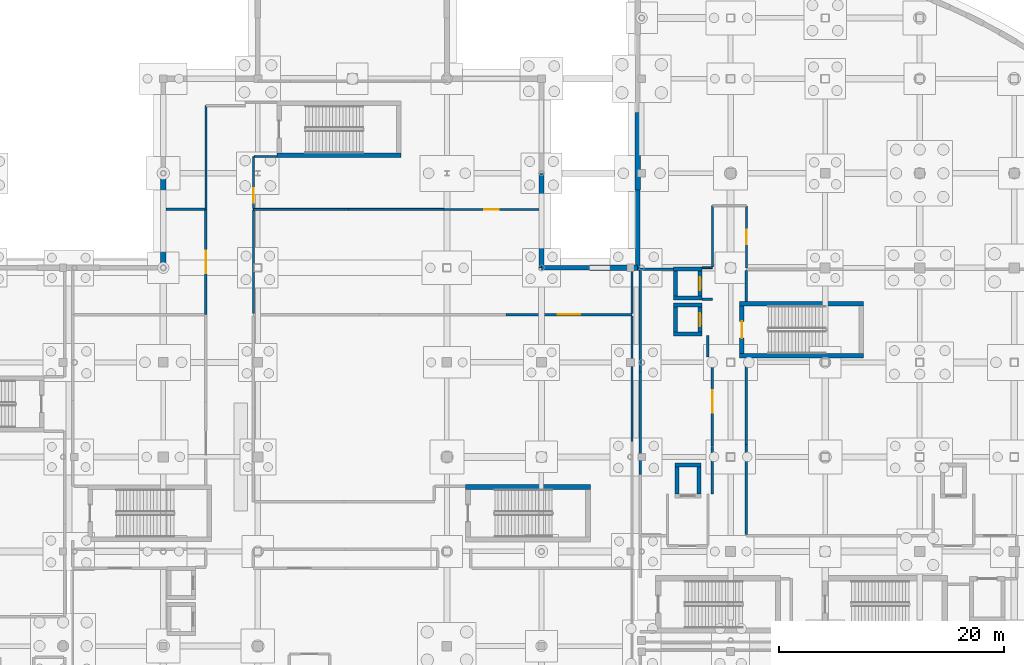
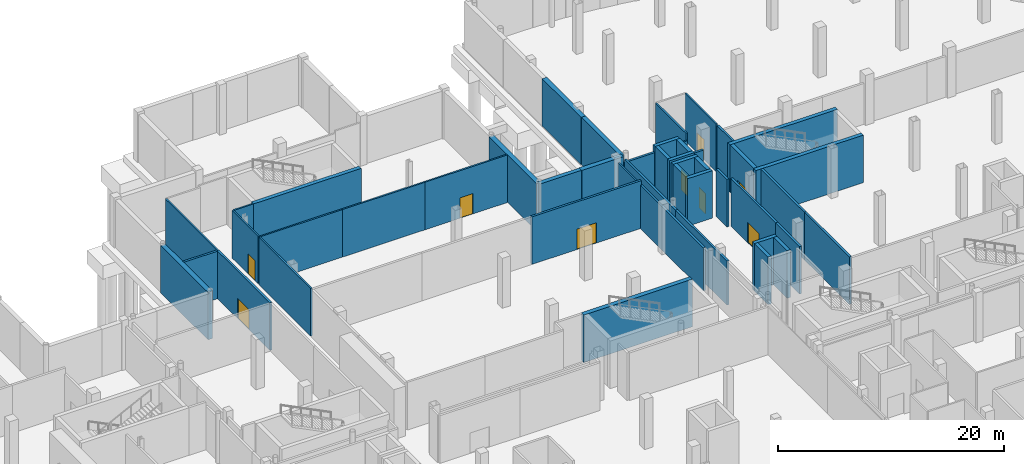
# One storey, part 32 of 49: 47 walls, 9 doors, 9 openings.
"""IFC4 building model written with IfcOpenShell, lengths in metres."""

from ifc_helpers import new_model, si_unit, direction, frame, frame_2d, origin, place, context, subcontext, project, spatial, rectangle, extrude, material, layer, layer_set, type_object, element, fill, save


model = new_model("IFC4")

# Units and contexts
model_context = context("Model", 3, precision=1e-05, world=origin(), true_north=direction((0.0, 1.0)))
body_context = subcontext(model_context, "Body", "Model", "MODEL_VIEW")
ifc_project = project(units=[si_unit("LENGTHUNIT", "METRE"), si_unit("AREAUNIT", "SQUARE_METRE"), si_unit("VOLUMEUNIT", "CUBIC_METRE"), si_unit("PLANEANGLEUNIT", "RADIAN"), si_unit("MASSUNIT", "GRAM", prefix="KILO"), si_unit("THERMODYNAMICTEMPERATUREUNIT", "KELVIN")], contexts=[model_context])

# Site, building, storey
site_placement = place(None, origin())
site = spatial("IfcSite", under=ifc_project, at=site_placement, CompositionType="ELEMENT")
building_placement = place(site_placement, origin())
building = spatial("IfcBuilding", under=site, at=building_placement, Name="Lustrewick Department Store", CompositionType="ELEMENT")
storey_placement = place(building_placement, frame((0.0, 0.0, -5.39990234375)))
storey = spatial("IfcBuildingStorey", under=building, at=storey_placement, Name="B1", CompositionType="ELEMENT", Elevation=-5.39990234375)

# Wall, opening, door
ifc_material_1 = material(Name="Autoclaved aerated concrete blockwork and fire board", Category="masonry")
ifc_layer_1 = layer(ifc_material_1, 0.219970703125, Name="Autoclaved aerated concrete blockwork and fire board")
ifc_layer_set_1 = layer_set([ifc_layer_1], Name="Autoclaved aerated concrete blockwork and fire board")
wall_type_1 = type_object("IfcWallType", Name="PW01", PredefinedType="PARTITIONING", material=ifc_layer_set_1)
wall_1_placement = place(storey_placement, frame((70.989990234375, 79.846435546875, 0.0), z_axis=(0.0, 0.0, 1.0), x_axis=(0.0, 1.0, 0.0)))
wall_1 = element("IfcWall", 1, at=wall_1_placement, inside=storey, type_object=wall_type_1, Name="B1 V2 Reserve Stockroom 4 PW01", PredefinedType="PARTITIONING", context=body_context, shape_type="SweptSolid", body=[
    extrude(rectangle(XDim=9.343505859375, YDim=0.219970703125, at=frame_2d((4.671875, 0.0))), origin(), (0.0, 0.0, 1.0), 5.14501953125),
])
opening_1_placement = place(wall_1_placement, frame((3.671875, 0.0, 0.0)))
opening_1 = element("IfcOpeningElement", 2, at=opening_1_placement, cuts=wall_1, Name="Opening D-B1-056", PredefinedType="OPENING", context=body_context, shape_type="SweptSolid", body=[
    extrude(rectangle(XDim=2.0, YDim=2.199951171875, at=frame_2d((1.0, 1.10009765625))), frame((0.0, 0.1201171875, 0.0), z_axis=(0.0, -1.0, 0.0), x_axis=(1.0, 0.0, 0.0)), (0.0, 0.0, 1.0), 0.239990234375),
])
ifc_material_2 = material(Name="Steel fire door Class A EI 90", Category="steel")
door_type_1 = type_object("IfcDoorType", Name="DT-06", OperationType="NOTDEFINED", PredefinedType="DOOR", material=ifc_material_2)
door_1_placement = place(opening_1_placement, origin())
door_1 = element("IfcDoor", 3, at=door_1_placement, inside=storey, type_object=door_type_1, Name="B1 V2 Reserve Stockroom 4 Door D-B1-056", OperationType="DOUBLE_DOOR_SINGLE_SWING", OverallHeight=2.199951171875, OverallWidth=2.0, PredefinedType="DOOR", context=body_context, shape_type="SweptSolid", body=[
    extrude(rectangle(XDim=2.0, YDim=2.199951171875, at=frame_2d((1.0, 1.10009765625))), frame((0.0, 0.02490234375, 0.0), z_axis=(0.0, -1.0, 0.0), x_axis=(1.0, 0.0, 0.0)), (0.0, 0.0, 1.0), 0.050048828125),
])
fill(opening_1, door_1)

# Wall
wall_2_placement = place(storey_placement, frame((70.885009765625, 89.18994140625, 0.0), z_axis=(0.0, 0.0, 1.0), x_axis=(-1.0, 0.0, 0.0)))
element("IfcWall", 4, at=wall_2_placement, inside=storey, type_object=wall_type_1, Name="B1 V2 Reserve Stockroom 4 PW01", PredefinedType="PARTITIONING", context=body_context, shape_type="SweptSolid", body=[
    extrude(rectangle(XDim=3.449951171875, YDim=0.219970703125, at=frame_2d((1.72509765625, 0.0))), origin(), (0.0, 0.0, 1.0), 5.14501953125),
])

# Wall, opening, door
wall_3_placement = place(storey_placement, frame((108.840087890625, 79.846435546875, 0.0), z_axis=(0.0, 0.0, 1.0), x_axis=(-1.0, 0.0, 0.0)))
wall_3 = element("IfcWall", 5, at=wall_3_placement, inside=storey, type_object=wall_type_1, Name="B1 Forward Merchandise Stockroom PW01", PredefinedType="PARTITIONING", context=body_context, shape_type="SweptSolid", body=[
    extrude(rectangle(XDim=11.210205078125, YDim=0.219970703125, at=frame_2d((5.60498046875, 0.0))), origin(), (0.0, 0.0, 1.0), 5.14501953125),
])
opening_2_placement = place(wall_3_placement, frame((4.60498046875, 0.0, 0.0)))
opening_2 = element("IfcOpeningElement", 6, at=opening_2_placement, cuts=wall_3, Name="Opening D-B1-057", PredefinedType="OPENING", context=body_context, shape_type="SweptSolid", body=[
    extrude(rectangle(XDim=2.0, YDim=2.199951171875, at=frame_2d((1.0, 1.10009765625))), frame((0.0, 0.1201171875, 0.0), z_axis=(0.0, -1.0, 0.0), x_axis=(1.0, 0.0, 0.0)), (0.0, 0.0, 1.0), 0.239990234375),
])
door_2_placement = place(opening_2_placement, origin())
door_2 = element("IfcDoor", 7, at=door_2_placement, inside=storey, type_object=door_type_1, Name="B1 Forward Merchandise Stockroom Door D-B1-057", OperationType="DOUBLE_DOOR_SINGLE_SWING", OverallHeight=2.199951171875, OverallWidth=2.0, PredefinedType="DOOR", context=body_context, shape_type="SweptSolid", body=[
    extrude(rectangle(XDim=2.0, YDim=2.199951171875, at=frame_2d((1.0, 1.10009765625))), frame((0.0, 0.02490234375, 0.0), z_axis=(0.0, -1.0, 0.0), x_axis=(1.0, 0.0, 0.0)), (0.0, 0.0, 1.0), 0.050048828125),
])
fill(opening_2, door_2)

# Walls
wall_4_placement = place(storey_placement, frame((108.840087890625, 68.580078125, 0.0), z_axis=(0.0, 0.0, 1.0), x_axis=(0.0, 1.0, 0.0)))
element("IfcWall", 8, at=wall_4_placement, inside=storey, type_object=wall_type_1, Name="B1 Forward Merchandise Stockroom PW01", PredefinedType="PARTITIONING", context=body_context, shape_type="SweptSolid", body=[
    extrude(rectangle(XDim=11.161376953125, YDim=0.219970703125, at=frame_2d((5.58056640625, 0.0))), origin(), (0.0, 0.0, 1.0), 4.681884765625),
])
wall_5_placement = place(storey_placement, frame((115.989990234375, 63.89990234375, 0.0), z_axis=(0.0, 0.0, 1.0), x_axis=(0.0, 1.0, 0.0)))
element("IfcWall", 9, at=wall_5_placement, inside=storey, type_object=wall_type_1, Name="B1 V4 Reserve Stockroom 1 PW01", PredefinedType="PARTITIONING", context=body_context, shape_type="SweptSolid", body=[
    extrude(rectangle(XDim=4.25, YDim=0.219970703125, at=frame_2d((2.125, 0.0))), origin(), (0.0, 0.0, 1.0), 5.14501953125),
])

# Wall, opening, door
wall_6_placement = place(storey_placement, frame((115.989990234375, 68.14990234375, 0.0), z_axis=(0.0, 0.0, 1.0), x_axis=(0.0, 1.0, 0.0)))
wall_6 = element("IfcWall", 10, at=wall_6_placement, inside=storey, type_object=wall_type_1, Name="B1 V4 Reserve Stockroom 1 PW01", PredefinedType="PARTITIONING", context=body_context, shape_type="SweptSolid", body=[
    extrude(rectangle(XDim=7.940185546875, YDim=0.219970703125, at=frame_2d((3.97021484375, 0.0))), origin(), (0.0, 0.0, 1.0), 5.14501953125),
])
opening_3_placement = place(wall_6_placement, frame((2.969970703125, 0.0, 0.0)))
opening_3 = element("IfcOpeningElement", 11, at=opening_3_placement, cuts=wall_6, Name="Opening D-B1-067", PredefinedType="OPENING", context=body_context, shape_type="SweptSolid", body=[
    extrude(rectangle(XDim=2.0, YDim=2.199951171875, at=frame_2d((1.0, 1.10009765625))), frame((0.0, 0.1201171875, 0.0), z_axis=(0.0, -1.0, 0.0), x_axis=(1.0, 0.0, 0.0)), (0.0, 0.0, 1.0), 0.239990234375),
])
door_3_placement = place(opening_3_placement, origin())
door_3 = element("IfcDoor", 12, at=door_3_placement, inside=storey, type_object=door_type_1, Name="B1 V4 Reserve Stockroom 1 Door D-B1-067", OperationType="DOUBLE_DOOR_SINGLE_SWING", OverallHeight=2.199951171875, OverallWidth=2.0, PredefinedType="DOOR", context=body_context, shape_type="SweptSolid", body=[
    extrude(rectangle(XDim=2.0, YDim=2.199951171875, at=frame_2d((1.0, 1.10009765625))), frame((0.0, 0.02490234375, 0.0), z_axis=(0.0, -1.0, 0.0), x_axis=(1.0, 0.0, 0.0)), (0.0, 0.0, 1.0), 0.050048828125),
])
fill(opening_3, door_3)

# Walls
wall_7_placement = place(storey_placement, frame((112.5400390625, 83.88818359375, 0.0), z_axis=(0.0, 0.0, 1.0), x_axis=(-1.0, 0.0, 0.0)))
element("IfcWall", 13, at=wall_7_placement, inside=storey, type_object=wall_type_1, Name="B1 V4 Reserve Stockroom 1 PW01", PredefinedType="PARTITIONING", context=body_context, shape_type="SweptSolid", body=[
    extrude(rectangle(XDim=3.18994140625, YDim=0.219970703125, at=frame_2d((1.594970703125, 0.0))), origin(), (0.0, 0.0, 1.0), 4.421875),
])
wall_8_placement = place(storey_placement, frame((115.590087890625, 76.10009765625, 0.0), z_axis=(0.0, 0.0, 1.0), x_axis=(0.0, 1.0, 0.0)))
element("IfcWall", 14, at=wall_8_placement, inside=storey, type_object=wall_type_1, Name="B1 V4 Reserve Stockroom 1 PW01", PredefinedType="PARTITIONING", context=body_context, shape_type="SweptSolid", body=[
    extrude(rectangle(XDim=1.889892578125, YDim=0.219970703125, at=frame_2d((0.94482421875, 0.0))), origin(), (0.0, 0.0, 1.0), 5.14501953125),
])
wall_9_placement = place(storey_placement, frame((109.56005859375, 83.783203125, 0.0), z_axis=(0.0, 0.0, 1.0), x_axis=(0.0, -1.0, 0.0)))
element("IfcWall", 15, at=wall_9_placement, inside=storey, type_object=wall_type_1, Name="B1 V4 Reserve Stockroom 1 PW01", PredefinedType="PARTITIONING", context=body_context, shape_type="SweptSolid", body=[
    extrude(rectangle(XDim=9.02099609375, YDim=0.219970703125, at=frame_2d((4.510498046875, 0.0))), origin(), (0.0, 0.0, 1.0), 4.77197265625),
])
wall_10_placement = place(storey_placement, frame((109.56005859375, 74.76220703125, 0.0), z_axis=(0.0, 0.0, 1.0), x_axis=(0.0, -1.0, 0.0)))
element("IfcWall", 16, at=wall_10_placement, inside=storey, type_object=wall_type_1, Name="B1 V4 Reserve Stockroom 1 PW01", PredefinedType="PARTITIONING", context=body_context, shape_type="SweptSolid", body=[
    extrude(rectangle(XDim=9.126220703125, YDim=0.219970703125, at=frame_2d((4.56298828125, 0.0))), origin(), (0.0, 0.0, 1.0), 4.77197265625),
])
wall_11_placement = place(storey_placement, frame((115.989990234375, 81.18994140625, 0.0), z_axis=(0.0, 0.0, 1.0), x_axis=(-1.0, 0.0, 0.0)))
element("IfcWall", 17, at=wall_11_placement, inside=storey, type_object=wall_type_1, Name="B1 V4 Reserve Stockroom 1 PW01", PredefinedType="PARTITIONING", context=body_context, shape_type="SweptSolid", body=[
    extrude(rectangle(XDim=0.929931640625, YDim=0.219970703125, at=frame_2d((0.46484375, 0.0))), origin(), (0.0, 0.0, 1.0), 5.14501953125),
])
wall_12_placement = place(storey_placement, frame((119.010009765625, 76.0048828125, 0.0), z_axis=(0.0, 0.0, 1.0), x_axis=(0.0, -1.0, 0.0)))
element("IfcWall", 18, at=wall_12_placement, inside=storey, type_object=wall_type_1, Name="B1 Central Merchandise Stockroom PW01", PredefinedType="PARTITIONING", context=body_context, shape_type="SweptSolid", body=[
    extrude(rectangle(XDim=7.704833984375, YDim=0.219970703125, at=frame_2d((3.8525390625, 0.0))), origin(), (0.0, 0.0, 1.0), 5.14501953125),
])
wall_13_placement = place(storey_placement, frame((119.010009765625, 68.300048828125, 0.0), z_axis=(0.0, 0.0, 1.0), x_axis=(0.0, -1.0, 0.0)))
element("IfcWall", 19, at=wall_13_placement, inside=storey, type_object=wall_type_1, Name="B1 Central Merchandise Stockroom PW01", PredefinedType="PARTITIONING", context=body_context, shape_type="SweptSolid", body=[
    extrude(rectangle(XDim=7.985107421875, YDim=0.219970703125, at=frame_2d((3.99267578125, 0.0))), origin(), (0.0, 0.0, 1.0), 5.14501953125),
])
wall_14_placement = place(storey_placement, frame((119.010009765625, 83.783203125, 0.0), z_axis=(0.0, 0.0, 1.0), x_axis=(0.0, -1.0, 0.0)))
element("IfcWall", 20, at=wall_14_placement, inside=storey, type_object=wall_type_1, Name="B1 Central Merchandise Stockroom PW01", PredefinedType="PARTITIONING", context=body_context, shape_type="SweptSolid", body=[
    extrude(rectangle(XDim=2.7880859375, YDim=0.219970703125, at=frame_2d((1.39404296875, 0.0))), origin(), (0.0, 0.0, 1.0), 5.14501953125),
])

# Wall, opening, door
ifc_material_3 = material(Name="Double-stud gypsum fire board with mineral wool", Category="gypsum")
ifc_layer_2 = layer(ifc_material_3, 0.1650390625, Name="Double-stud gypsum fire board with mineral wool")
ifc_layer_set_2 = layer_set([ifc_layer_2], Name="Double-stud gypsum fire board with mineral wool")
wall_type_2 = type_object("IfcWallType", Name="PW04", PredefinedType="PARTITIONING", material=ifc_layer_set_2)
wall_15_placement = place(storey_placement, frame((100.56494140625, 89.18994140625, 0.0), z_axis=(0.0, 0.0, 1.0), x_axis=(-1.0, 0.0, 0.0)))
wall_15 = element("IfcWall", 21, at=wall_15_placement, inside=storey, type_object=wall_type_2, Name="B1 Electrical Substation Room PW04", PredefinedType="PARTITIONING", context=body_context, shape_type="SweptSolid", body=[
    extrude(rectangle(XDim=8.43505859375, YDim=0.1650390625, at=frame_2d((4.217529296875, 0.0))), origin(), (0.0, 0.0, 1.0), 5.14501953125),
])
opening_4_placement = place(wall_15_placement, frame((3.5673828125, 0.0, 0.0)))
opening_4 = element("IfcOpeningElement", 22, at=opening_4_placement, cuts=wall_15, Name="Opening D-B1-058", PredefinedType="OPENING", context=body_context, shape_type="SweptSolid", body=[
    extrude(rectangle(XDim=1.300048828125, YDim=2.199951171875, at=frame_2d((0.64990234375, 1.10009765625))), frame((0.0, 0.092529296875, 0.0), z_axis=(0.0, -1.0, 0.0), x_axis=(1.0, 0.0, 0.0)), (0.0, 0.0, 1.0), 0.18505859375),
])
door_type_2 = type_object("IfcDoorType", Name="DT-13", OperationType="NOTDEFINED", PredefinedType="DOOR", material=ifc_material_2)
door_4_placement = place(opening_4_placement, origin())
door_4 = element("IfcDoor", 23, at=door_4_placement, inside=storey, type_object=door_type_2, Name="B1 Electrical Substation Room Door D-B1-058", OperationType="SINGLE_SWING_LEFT", OverallHeight=2.199951171875, OverallWidth=1.300048828125, PredefinedType="DOOR", context=body_context, shape_type="SweptSolid", body=[
    extrude(rectangle(XDim=1.300048828125, YDim=2.199951171875, at=frame_2d((0.64990234375, 1.10009765625))), frame((0.0, 0.02490234375, 0.0), z_axis=(0.0, -1.0, 0.0), x_axis=(1.0, 0.0, 0.0)), (0.0, 0.0, 1.0), 0.050048828125),
])
fill(opening_4, door_4)

# Walls
for number, where, z_axis, x_axis, name in (
    (24, (92.1298828125, 89.18994140625, 0.0), (0.0, 0.0, 1.0), (-1.0, 0.0, 0.0), "B1 Electrical Substation Room PW04"),
    (25, (83.669921875, 89.18994140625, 0.0), (0.0, 0.0, 1.0), (-1.0, 0.0, 0.0), "B1 Electrical Substation Room PW04"),
):
    element("IfcWall", number, at=place(storey_placement, frame(where, z_axis=z_axis, x_axis=x_axis)), inside=storey, type_object=wall_type_2, Name=name, PredefinedType="PARTITIONING", context=body_context, shape_type="SweptSolid", body=[
        extrude(rectangle(XDim=8.4599609375, YDim=0.1650390625, at=frame_2d((4.22998046875, 0.0))), origin(), (0.0, 0.0, 1.0), 5.14501953125),
    ])
wall_16_placement = place(storey_placement, frame((75.2099609375, 89.112548828125, 0.0), z_axis=(0.0, 0.0, 1.0), x_axis=(0.0, -1.0, 0.0)))
element("IfcWall", 26, at=wall_16_placement, inside=storey, type_object=wall_type_2, Name="B1 Electrical Substation Room PW04", PredefinedType="PARTITIONING", context=body_context, shape_type="SweptSolid", body=[
    extrude(rectangle(XDim=9.1611328125, YDim=0.1650390625, at=frame_2d((4.58056640625, 0.0))), origin(), (0.0, 0.0, 1.0), 5.14501953125),
])
wall_17_placement = place(storey_placement, frame((108.840087890625, 79.951416015625, 0.0), z_axis=(0.0, 0.0, 1.0), x_axis=(0.0, 1.0, 0.0)))
element("IfcWall", 27, at=wall_17_placement, inside=storey, type_object=wall_type_2, Name="B1 Electrical Substation Room PW04", PredefinedType="PARTITIONING", context=body_context, shape_type="SweptSolid", body=[
    extrude(rectangle(XDim=3.8134765625, YDim=0.1650390625, at=frame_2d((1.90673828125, 0.0))), origin(), (0.0, 0.0, 1.0), 4.681884765625),
])

# Wall, opening, door
wall_18_placement = place(storey_placement, frame((75.2099609375, 93.889892578125, 0.0), z_axis=(0.0, 0.0, 1.0), x_axis=(0.0, -1.0, 0.0)))
wall_18 = element("IfcWall", 28, at=wall_18_placement, inside=storey, type_object=wall_type_2, Name="B1 Standby Diesel Power Room PW04", PredefinedType="PARTITIONING", context=body_context, shape_type="SweptSolid", body=[
    extrude(rectangle(XDim=4.622314453125, YDim=0.1650390625, at=frame_2d((2.31103515625, 0.0))), origin(), (0.0, 0.0, 1.0), 5.14501953125),
])
opening_5_placement = place(wall_18_placement, frame((2.81689453125, 0.0, 0.0)))
opening_5 = element("IfcOpeningElement", 29, at=opening_5_placement, cuts=wall_18, Name="Opening D-B1-059", PredefinedType="OPENING", context=body_context, shape_type="SweptSolid", body=[
    extrude(rectangle(XDim=1.300048828125, YDim=2.199951171875, at=frame_2d((0.64990234375, 1.10009765625))), frame((0.0, 0.092529296875, 0.0), z_axis=(0.0, -1.0, 0.0), x_axis=(1.0, 0.0, 0.0)), (0.0, 0.0, 1.0), 0.18505859375),
])
door_5_placement = place(opening_5_placement, origin())
door_5 = element("IfcDoor", 30, at=door_5_placement, inside=storey, type_object=door_type_2, Name="B1 Standby Diesel Power Room Door D-B1-059", OperationType="SINGLE_SWING_RIGHT", OverallHeight=2.199951171875, OverallWidth=1.300048828125, PredefinedType="DOOR", context=body_context, shape_type="SweptSolid", body=[
    extrude(rectangle(XDim=1.300048828125, YDim=2.199951171875, at=frame_2d((0.64990234375, 1.10009765625))), frame((0.0, 0.02490234375, 0.0), z_axis=(0.0, -1.0, 0.0), x_axis=(1.0, 0.0, 0.0)), (0.0, 0.0, 1.0), 0.050048828125),
])
fill(opening_5, door_5)

# Walls
wall_19_placement = place(storey_placement, frame((77.300048828125, 93.889892578125, 0.0), z_axis=(0.0, 0.0, 1.0), x_axis=(-1.0, 0.0, 0.0)))
element("IfcWall", 31, at=wall_19_placement, inside=storey, type_object=wall_type_2, Name="B1 Standby Diesel Power Room PW04", PredefinedType="PARTITIONING", context=body_context, shape_type="SweptSolid", body=[
    extrude(rectangle(XDim=2.012451171875, YDim=0.1650390625, at=frame_2d((1.00634765625, 0.0))), origin(), (0.0, 0.0, 1.0), 5.14501953125),
])
wall_20_placement = place(storey_placement, frame((70.989990234375, 89.18994140625, 0.0), z_axis=(0.0, 0.0, 1.0), x_axis=(0.0, 1.0, 0.0)))
element("IfcWall", 32, at=wall_20_placement, inside=storey, type_object=wall_type_2, Name="B1 Standby Diesel Power Room PW04", PredefinedType="PARTITIONING", context=body_context, shape_type="SweptSolid", body=[
    extrude(rectangle(XDim=9.2099609375, YDim=0.1650390625, at=frame_2d((4.60498046875, 0.0))), origin(), (0.0, 0.0, 1.0), 5.14501953125),
])
wall_21_placement = place(storey_placement, frame((115.06005859375, 84.010009765625, 0.0), z_axis=(0.0, 0.0, 1.0), x_axis=(1.0, 0.0, 0.0)))
element("IfcWall", 33, at=wall_21_placement, inside=storey, type_object=wall_type_2, Name="B1 AHU Mechanical Plant PW04", PredefinedType="PARTITIONING", context=body_context, shape_type="SweptSolid", body=[
    extrude(rectangle(XDim=0.929931640625, YDim=0.1650390625, at=frame_2d((0.46484375, 0.0))), origin(), (0.0, 0.0, 1.0), 4.421875),
])

# Wall, opening, door
wall_22_placement = place(storey_placement, frame((119.010009765625, 89.5, 0.0), z_axis=(0.0, 0.0, 1.0), x_axis=(0.0, -1.0, 0.0)))
wall_22 = element("IfcWall", 34, at=wall_22_placement, inside=storey, type_object=wall_type_2, Name="B1 AHU Mechanical Plant PW04", PredefinedType="PARTITIONING", context=body_context, shape_type="SweptSolid", body=[
    extrude(rectangle(XDim=5.5068359375, YDim=0.1650390625, at=frame_2d((2.75341796875, 0.0))), origin(), (0.0, 0.0, 1.0), 5.14501953125),
])
opening_6_placement = place(wall_22_placement, frame((2.103515625, 0.0, 0.0)))
opening_6 = element("IfcOpeningElement", 35, at=opening_6_placement, cuts=wall_22, Name="Opening D-B1-069", PredefinedType="OPENING", context=body_context, shape_type="SweptSolid", body=[
    extrude(rectangle(XDim=1.300048828125, YDim=2.199951171875, at=frame_2d((0.64990234375, 1.10009765625))), frame((0.0, 0.092529296875, 0.0), z_axis=(0.0, -1.0, 0.0), x_axis=(1.0, 0.0, 0.0)), (0.0, 0.0, 1.0), 0.18505859375),
])
door_6_placement = place(opening_6_placement, origin())
door_6 = element("IfcDoor", 36, at=door_6_placement, inside=storey, type_object=door_type_2, Name="B1 AHU Mechanical Plant Door D-B1-069", OperationType="SINGLE_SWING_LEFT", OverallHeight=2.199951171875, OverallWidth=1.300048828125, PredefinedType="DOOR", context=body_context, shape_type="SweptSolid", body=[
    extrude(rectangle(XDim=1.300048828125, YDim=2.199951171875, at=frame_2d((0.64990234375, 1.10009765625))), frame((0.0, 0.02490234375, 0.0), z_axis=(0.0, -1.0, 0.0), x_axis=(1.0, 0.0, 0.0)), (0.0, 0.0, 1.0), 0.050048828125),
])
fill(opening_6, door_6)

# Walls
wall_23_placement = place(storey_placement, frame((115.989990234375, 84.08740234375, 0.0), z_axis=(0.0, 0.0, 1.0), x_axis=(0.0, 1.0, 0.0)))
element("IfcWall", 37, at=wall_23_placement, inside=storey, type_object=wall_type_2, Name="B1 AHU Mechanical Plant PW04", PredefinedType="PARTITIONING", context=body_context, shape_type="SweptSolid", body=[
    extrude(rectangle(XDim=5.41259765625, YDim=0.1650390625, at=frame_2d((2.706298828125, 0.0))), origin(), (0.0, 0.0, 1.0), 5.14501953125),
])
ifc_material_4 = material(Name="Concrete C40", Category="concrete")
ifc_layer_3 = layer(ifc_material_4, 0.419921875, Name="Concrete C40")
ifc_layer_set_3 = layer_set([ifc_layer_3], Name="Concrete C40")
wall_type_3 = type_object("IfcWallType", Name="RW01", PredefinedType="USERDEFINED", material=ifc_layer_set_3)
wall_24_placement = place(storey_placement, frame((100.800048828125, 84.0, 0.0), z_axis=(0.0, 0.0, 1.0), x_axis=(1.0, 0.0, 0.0)))
element("IfcWall", 38, at=wall_24_placement, inside=storey, type_object=wall_type_3, Name="B1 Retaining Wall RW01 0051", ObjectType="RETAININGWALL", PredefinedType="USERDEFINED", context=body_context, shape_type="SweptSolid", body=[
    extrude(rectangle(XDim=4.27490234375, YDim=0.419921875, at=frame_2d((2.137451171875, 0.0))), origin(), (0.0, 0.0, 1.0), 5.1298828125),
])
wall_25_placement = place(storey_placement, frame((109.35009765625, 84.0, 0.0), z_axis=(0.0, 0.0, 1.0), x_axis=(0.0, 1.0, 0.0)))
element("IfcWall", 39, at=wall_25_placement, inside=storey, type_object=wall_type_3, Name="B1 Retaining Wall RW01 0053", ObjectType="RETAININGWALL", PredefinedType="USERDEFINED", context=body_context, shape_type="SweptSolid", body=[
    extrude(rectangle(XDim=6.89990234375, YDim=0.419921875, at=frame_2d((3.449951171875, 0.0))), origin(), (0.0, 0.0, 1.0), 5.1298828125),
])
ifc_layer_4 = layer(ifc_material_4, 0.47998046875, Name="Concrete C40")
ifc_layer_set_4 = layer_set([ifc_layer_4], Name="Concrete C40")
wall_type_4 = type_object("IfcWallType", Name="RW02", PredefinedType="USERDEFINED", material=ifc_layer_set_4)
for number, where, z_axis, x_axis, name in (
    (40, (67.199951171875, 84.0, 0.0), (0.0, 0.0, 1.0), (0.0, 1.0, 0.0), "B1 Retaining Wall RW02 0038"),
    (41, (100.800048828125, 92.39990234375, 0.0), (0.0, 0.0, 1.0), (0.0, -1.0, 0.0), "B1 Retaining Wall RW02 0050"),
):
    element("IfcWall", number, at=place(storey_placement, frame(where, z_axis=z_axis, x_axis=x_axis)), inside=storey, type_object=wall_type_4, Name=name, ObjectType="RETAININGWALL", PredefinedType="USERDEFINED", context=body_context, shape_type="SweptSolid", body=[
        extrude(rectangle(XDim=8.39990234375, YDim=0.47998046875, at=frame_2d((4.199951171875, 0.0))), origin(), (0.0, 0.0, 1.0), 5.1298828125),
    ])
wall_26_placement = place(storey_placement, frame((105.074951171875, 84.0, 0.0), z_axis=(0.0, 0.0, 1.0), x_axis=(1.0, 0.0, 0.0)))
element("IfcWall", 42, at=wall_26_placement, inside=storey, type_object=wall_type_4, Name="B1 Retaining Wall RW02 0052", ObjectType="RETAININGWALL", PredefinedType="USERDEFINED", context=body_context, shape_type="SweptSolid", body=[
    extrude(rectangle(XDim=4.275146484375, YDim=0.47998046875, at=frame_2d((2.1376953125, 0.0))), origin(), (0.0, 0.0, 1.0), 5.1298828125),
])
wall_27_placement = place(storey_placement, frame((109.35009765625, 90.89990234375, 0.0), z_axis=(0.0, 0.0, 1.0), x_axis=(0.0, 1.0, 0.0)))
element("IfcWall", 43, at=wall_27_placement, inside=storey, type_object=wall_type_4, Name="B1 Retaining Wall RW02 0054", ObjectType="RETAININGWALL", PredefinedType="USERDEFINED", context=body_context, shape_type="SweptSolid", body=[
    extrude(rectangle(XDim=6.900146484375, YDim=0.47998046875, at=frame_2d((3.4501953125, 0.0))), origin(), (0.0, 0.0, 1.0), 5.1298828125),
])
ifc_material_5 = material(Name="Concrete C50", Category="concrete")
ifc_layer_5 = layer(ifc_material_5, 0.449951171875, Name="Concrete C50")
ifc_layer_set_5 = layer_set([ifc_layer_5], Name="Concrete C50")
wall_type_5 = type_object("IfcWallType", Name="SW01", PredefinedType="SHEAR", material=ifc_layer_set_5)
wall_28_placement = place(storey_placement, frame((105.14990234375, 64.52490234375, 0.0), z_axis=(0.0, 0.0, 1.0), x_axis=(-1.0, 0.0, 0.0)))
element("IfcWall", 44, at=wall_28_placement, inside=storey, type_object=wall_type_5, Name="B1 Stair Core ST05 Shear Wall N", PredefinedType="SHEAR", context=body_context, shape_type="SweptSolid", body=[
    extrude(rectangle(XDim=11.099853515625, YDim=0.449951171875, at=frame_2d((5.5498046875, 0.0))), origin(), (0.0, 0.0, 1.0), 5.14501953125),
])
ifc_layer_6 = layer(ifc_material_5, 0.39990234375, Name="Concrete C50")
ifc_layer_set_6 = layer_set([ifc_layer_6], Name="Concrete C50")
wall_type_6 = type_object("IfcWallType", Name="SW02", PredefinedType="SHEAR", material=ifc_layer_set_6)
for number, where, z_axis, x_axis, name in (
    (45, (77.300048828125, 94.0, 0.0), (0.0, 0.0, 1.0), (1.0, 0.0, 0.0), "B1 Stair Core ST06 Shear Wall S"),
    (46, (118.39990234375, 76.199951171875, 0.0), (0.0, 0.0, 1.0), (1.0, 0.0, 0.0), "B1 Stair Core ST10 Shear Wall S"),
    (47, (129.39990234375, 80.800048828125, 0.0), (0.0, 0.0, 1.0), (-1.0, 0.0, 0.0), "B1 Stair Core ST10 Shear Wall N"),
):
    element("IfcWall", number, at=place(storey_placement, frame(where, z_axis=z_axis, x_axis=x_axis)), inside=storey, type_object=wall_type_6, Name=name, PredefinedType="SHEAR", context=body_context, shape_type="SweptSolid", body=[
        extrude(rectangle(XDim=11.0, YDim=0.39990234375, at=frame_2d((5.5, 0.0))), origin(), (0.0, 0.0, 1.0), 5.14501953125),
    ])

# Wall, opening, door
wall_29_placement = place(storey_placement, frame((118.60009765625, 80.60009765625, 0.0), z_axis=(0.0, 0.0, 1.0), x_axis=(0.0, -1.0, 0.0)))
wall_29 = element("IfcWall", 48, at=wall_29_placement, inside=storey, type_object=wall_type_6, Name="B1 Stair Core ST10 Shear Wall W", PredefinedType="SHEAR", context=body_context, shape_type="SweptSolid", body=[
    extrude(rectangle(XDim=4.2001953125, YDim=0.39990234375, at=frame_2d((2.10009765625, 0.0))), origin(), (0.0, 0.0, 1.0), 5.14501953125),
])
opening_7_placement = place(wall_29_placement, frame((1.35009765625, 0.0, 0.0)))
opening_7 = element("IfcOpeningElement", 49, at=opening_7_placement, cuts=wall_29, Name="Opening D-B1-010", PredefinedType="OPENING", context=body_context, shape_type="SweptSolid", body=[
    extrude(rectangle(XDim=1.5, YDim=2.14990234375, at=frame_2d((0.75, 1.074951171875))), frame((0.0, 0.2099609375, 0.0), z_axis=(0.0, -1.0, 0.0), x_axis=(1.0, 0.0, 0.0)), (0.0, 0.0, 1.0), 0.419921875),
])
ifc_material_6 = material(Name="Steel fire door Class B EI 60", Category="steel")
door_type_3 = type_object("IfcDoorType", Name="DT-07", OperationType="NOTDEFINED", PredefinedType="DOOR", material=ifc_material_6)
door_7_placement = place(opening_7_placement, origin())
door_7 = element("IfcDoor", 50, at=door_7_placement, inside=storey, type_object=door_type_3, Name="B1 Smoke-Proof Stair ST10 Fire Door", OperationType="SINGLE_SWING_LEFT", OverallHeight=2.14990234375, OverallWidth=1.5, PredefinedType="DOOR", context=body_context, shape_type="SweptSolid", body=[
    extrude(rectangle(XDim=1.5, YDim=2.14990234375, at=frame_2d((0.75, 1.074951171875))), frame((0.0, 0.02490234375, 0.0), z_axis=(0.0, -1.0, 0.0), x_axis=(1.0, 0.0, 0.0)), (0.0, 0.0, 1.0), 0.050048828125),
])
fill(opening_7, door_7)

# Walls
ifc_layer_7 = layer(ifc_material_4, 0.360107421875, Name="Concrete C40")
ifc_layer_set_7 = layer_set([ifc_layer_7], Name="Concrete C40")
wall_type_7 = type_object("IfcWallType", Name="SW04", PredefinedType="SHEAR", material=ifc_layer_set_7)
wall_30_placement = place(storey_placement, frame((114.780029296875, 63.89990234375, 0.0), z_axis=(0.0, 0.0, 1.0), x_axis=(0.0, 1.0, 0.0)))
element("IfcWall", 51, at=wall_30_placement, inside=storey, type_object=wall_type_7, Name="B1 Lift FFL-04 Shaft Wall +X", PredefinedType="SHEAR", context=body_context, shape_type="SweptSolid", body=[
    extrude(rectangle(XDim=2.400146484375, YDim=0.360107421875, at=frame_2d((1.2001953125, 0.0))), origin(), (0.0, 0.0, 1.0), 5.14501953125),
])
wall_31_placement = place(storey_placement, frame((114.9599609375, 66.47998046875, 0.0), z_axis=(0.0, 0.0, 1.0), x_axis=(-1.0, 0.0, 0.0)))
element("IfcWall", 52, at=wall_31_placement, inside=storey, type_object=wall_type_7, Name="B1 Lift FFL-04 Shaft Wall +Y", PredefinedType="SHEAR", context=body_context, shape_type="SweptSolid", body=[
    extrude(rectangle(XDim=2.320068359375, YDim=0.360107421875, at=frame_2d((1.16015625, 0.0))), origin(), (0.0, 0.0, 1.0), 5.14501953125),
])
wall_32_placement = place(storey_placement, frame((112.820068359375, 66.300048828125, 0.0), z_axis=(0.0, 0.0, 1.0), x_axis=(0.0, -1.0, 0.0)))
element("IfcWall", 53, at=wall_32_placement, inside=storey, type_object=wall_type_7, Name="B1 Lift FFL-04 Shaft Wall -X", PredefinedType="SHEAR", context=body_context, shape_type="SweptSolid", body=[
    extrude(rectangle(XDim=2.400146484375, YDim=0.360107421875, at=frame_2d((1.2001953125, 0.0))), origin(), (0.0, 0.0, 1.0), 5.14501953125),
])
wall_33_placement = place(storey_placement, frame((112.5400390625, 78.1201171875, 0.0), z_axis=(0.0, 0.0, 1.0), x_axis=(1.0, 0.0, 0.0)))
element("IfcWall", 54, at=wall_33_placement, inside=storey, type_object=wall_type_7, Name="B1 Lift PL-07 Shaft Wall -Y", PredefinedType="SHEAR", context=body_context, shape_type="SweptSolid", body=[
    extrude(rectangle(XDim=2.52001953125, YDim=0.360107421875, at=frame_2d((1.260009765625, 0.0))), origin(), (0.0, 0.0, 1.0), 5.14501953125),
])

# Wall, opening, door
wall_34_placement = place(storey_placement, frame((114.8798828125, 78.300048828125, 0.0), z_axis=(0.0, 0.0, 1.0), x_axis=(0.0, 1.0, 0.0)))
wall_34 = element("IfcWall", 55, at=wall_34_placement, inside=storey, type_object=wall_type_7, Name="B1 Lift PL-07 Shaft Wall +X", PredefinedType="SHEAR", context=body_context, shape_type="SweptSolid", body=[
    extrude(rectangle(XDim=2.199951171875, YDim=0.360107421875, at=frame_2d((1.10009765625, 0.0))), origin(), (0.0, 0.0, 1.0), 5.14501953125),
])
opening_8_placement = place(wall_34_placement, frame((0.52490234375, 0.0, 0.0)))
opening_8 = element("IfcOpeningElement", 56, at=opening_8_placement, cuts=wall_34, Name="Opening LD-B1-11", PredefinedType="OPENING", context=body_context, shape_type="SweptSolid", body=[
    extrude(rectangle(XDim=1.14990234375, YDim=2.199951171875, at=frame_2d((0.574951171875, 1.10009765625))), frame((0.0, 0.18994140625, 0.0), z_axis=(0.0, -1.0, 0.0), x_axis=(1.0, 0.0, 0.0)), (0.0, 0.0, 1.0), 0.380126953125),
])
ifc_material_7 = material(Name="Brushed bronze passenger lift landing door EI 60", Category="steel")
door_type_4 = type_object("IfcDoorType", Name="DT-16", OperationType="NOTDEFINED", PredefinedType="DOOR", material=ifc_material_7)
door_8_placement = place(opening_8_placement, frame((1.14990234375, 0.0, 0.0), z_axis=(0.0, 0.0, 1.0), x_axis=(-1.0, 0.0, 0.0)))
door_8 = element("IfcDoor", 57, at=door_8_placement, inside=storey, type_object=door_type_4, Name="B1 Lift PL-07 Sliding Landing Door LD-B1-11", OperationType="DOUBLE_DOOR_SLIDING", OverallHeight=2.199951171875, OverallWidth=1.14990234375, PredefinedType="DOOR", context=body_context, shape_type="SweptSolid", body=[
    extrude(rectangle(XDim=1.14990234375, YDim=2.199951171875, at=frame_2d((0.574951171875, 1.10009765625))), frame((0.0, 0.02490234375, 0.0), z_axis=(0.0, -1.0, 0.0), x_axis=(1.0, 0.0, 0.0)), (0.0, 0.0, 1.0), 0.050048828125),
])
fill(opening_8, door_8)

# Walls
wall_35_placement = place(storey_placement, frame((115.06005859375, 80.679931640625, 0.0), z_axis=(0.0, 0.0, 1.0), x_axis=(-1.0, 0.0, 0.0)))
element("IfcWall", 58, at=wall_35_placement, inside=storey, type_object=wall_type_7, Name="B1 Lift PL-07 Shaft Wall +Y", PredefinedType="SHEAR", context=body_context, shape_type="SweptSolid", body=[
    extrude(rectangle(XDim=2.52001953125, YDim=0.360107421875, at=frame_2d((1.260009765625, 0.0))), origin(), (0.0, 0.0, 1.0), 5.14501953125),
])
wall_36_placement = place(storey_placement, frame((112.719970703125, 80.5, 0.0), z_axis=(0.0, 0.0, 1.0), x_axis=(0.0, -1.0, 0.0)))
element("IfcWall", 59, at=wall_36_placement, inside=storey, type_object=wall_type_7, Name="B1 Lift PL-07 Shaft Wall -X", PredefinedType="SHEAR", context=body_context, shape_type="SweptSolid", body=[
    extrude(rectangle(XDim=2.199951171875, YDim=0.360107421875, at=frame_2d((1.10009765625, 0.0))), origin(), (0.0, 0.0, 1.0), 5.14501953125),
])
wall_37_placement = place(storey_placement, frame((112.5400390625, 81.320068359375, 0.0), z_axis=(0.0, 0.0, 1.0), x_axis=(1.0, 0.0, 0.0)))
element("IfcWall", 60, at=wall_37_placement, inside=storey, type_object=wall_type_7, Name="B1 Lift PL-08 Shaft Wall -Y", PredefinedType="SHEAR", context=body_context, shape_type="SweptSolid", body=[
    extrude(rectangle(XDim=2.52001953125, YDim=0.360107421875, at=frame_2d((1.260009765625, 0.0))), origin(), (0.0, 0.0, 1.0), 5.14501953125),
])

# Wall, opening, door
wall_38_placement = place(storey_placement, frame((114.8798828125, 81.5, 0.0), z_axis=(0.0, 0.0, 1.0), x_axis=(0.0, 1.0, 0.0)))
wall_38 = element("IfcWall", 61, at=wall_38_placement, inside=storey, type_object=wall_type_7, Name="B1 Lift PL-08 Shaft Wall +X", PredefinedType="SHEAR", context=body_context, shape_type="SweptSolid", body=[
    extrude(rectangle(XDim=2.199951171875, YDim=0.360107421875, at=frame_2d((1.10009765625, 0.0))), origin(), (0.0, 0.0, 1.0), 5.14501953125),
])
opening_9_placement = place(wall_38_placement, frame((0.52490234375, 0.0, 0.0)))
opening_9 = element("IfcOpeningElement", 62, at=opening_9_placement, cuts=wall_38, Name="Opening LD-B1-12", PredefinedType="OPENING", context=body_context, shape_type="SweptSolid", body=[
    extrude(rectangle(XDim=1.14990234375, YDim=2.199951171875, at=frame_2d((0.574951171875, 1.10009765625))), frame((0.0, 0.18994140625, 0.0), z_axis=(0.0, -1.0, 0.0), x_axis=(1.0, 0.0, 0.0)), (0.0, 0.0, 1.0), 0.380126953125),
])
door_9_placement = place(opening_9_placement, frame((1.14990234375, 0.0, 0.0), z_axis=(0.0, 0.0, 1.0), x_axis=(-1.0, 0.0, 0.0)))
door_9 = element("IfcDoor", 63, at=door_9_placement, inside=storey, type_object=door_type_4, Name="B1 Lift PL-08 Sliding Landing Door LD-B1-12", OperationType="DOUBLE_DOOR_SLIDING", OverallHeight=2.199951171875, OverallWidth=1.14990234375, PredefinedType="DOOR", context=body_context, shape_type="SweptSolid", body=[
    extrude(rectangle(XDim=1.14990234375, YDim=2.199951171875, at=frame_2d((0.574951171875, 1.10009765625))), frame((0.0, 0.02490234375, 0.0), z_axis=(0.0, -1.0, 0.0), x_axis=(1.0, 0.0, 0.0)), (0.0, 0.0, 1.0), 0.050048828125),
])
fill(opening_9, door_9)

# Walls
wall_39_placement = place(storey_placement, frame((115.06005859375, 83.8798828125, 0.0), z_axis=(0.0, 0.0, 1.0), x_axis=(-1.0, 0.0, 0.0)))
element("IfcWall", 64, at=wall_39_placement, inside=storey, type_object=wall_type_7, Name="B1 Lift PL-08 Shaft Wall +Y", PredefinedType="SHEAR", context=body_context, shape_type="SweptSolid", body=[
    extrude(rectangle(XDim=2.52001953125, YDim=0.360107421875, at=frame_2d((1.260009765625, 0.0))), origin(), (0.0, 0.0, 1.0), 5.14501953125),
])
wall_40_placement = place(storey_placement, frame((112.719970703125, 83.699951171875, 0.0), z_axis=(0.0, 0.0, 1.0), x_axis=(0.0, -1.0, 0.0)))
element("IfcWall", 65, at=wall_40_placement, inside=storey, type_object=wall_type_7, Name="B1 Lift PL-08 Shaft Wall -X", PredefinedType="SHEAR", context=body_context, shape_type="SweptSolid", body=[
    extrude(rectangle(XDim=2.199951171875, YDim=0.360107421875, at=frame_2d((1.10009765625, 0.0))), origin(), (0.0, 0.0, 1.0), 5.14501953125),
])

save(model, "model.ifc")
